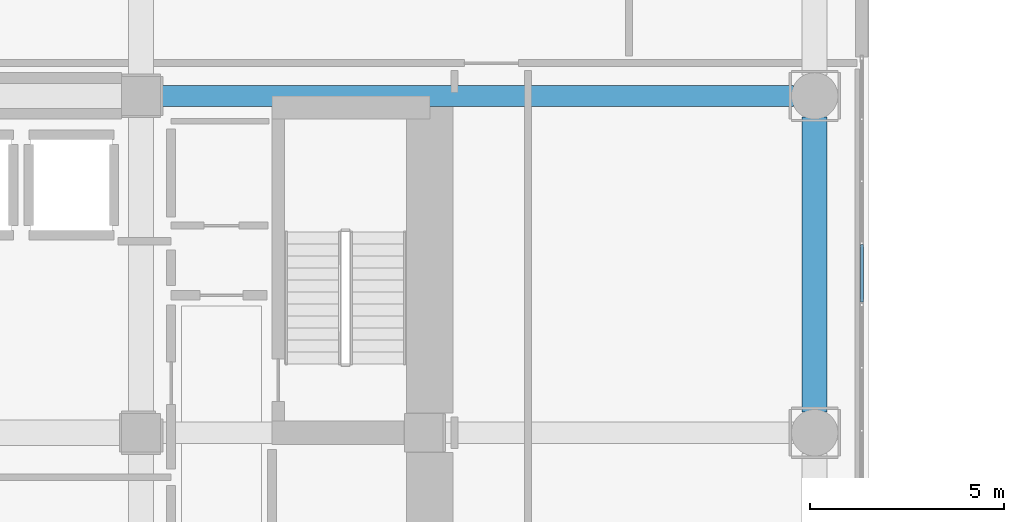
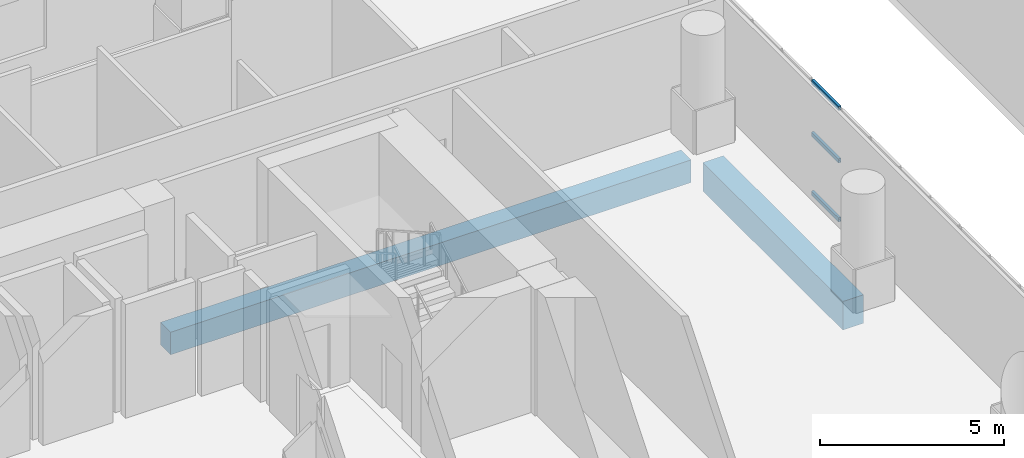
# One storey, part 5 of 25: 3 members, 2 beams, 1 element without a shape of its own.
"""IFC4 building model written with IfcOpenShell, lengths in metres."""

from ifc_helpers import new_model, si_unit, direction, frame, origin, origin_2d, place, context, subcontext, project, spatial, rectangle, hollow_rectangle, extrude, material, layer, layer_set, material_profile, profile_set, type_object, element, aggregate, save


model = new_model("IFC4")

# Units and contexts
model_context = context("Model", 3, precision=1e-05, world=origin(), true_north=direction((0.0, 1.0)))
body_context = subcontext(model_context, "Body", "Model", "MODEL_VIEW")
ifc_project = project(units=[si_unit("LENGTHUNIT", "METRE"), si_unit("AREAUNIT", "SQUARE_METRE"), si_unit("VOLUMEUNIT", "CUBIC_METRE"), si_unit("PLANEANGLEUNIT", "RADIAN"), si_unit("MASSUNIT", "GRAM", prefix="KILO")], contexts=[model_context])

# Site, building, storey
site_placement = place(None, origin())
site = spatial("IfcSite", under=ifc_project, at=site_placement, CompositionType="ELEMENT")
building_placement = place(site_placement, origin())
building = spatial("IfcBuilding", under=site, at=building_placement, Name="Solanera Arch Residences", CompositionType="ELEMENT")
storey_placement = place(building_placement, frame((0.0, 0.0, 17.800048828125)))
storey = spatial("IfcBuildingStorey", under=building, at=storey_placement, Name="L04", CompositionType="ELEMENT", Elevation=17.800048828125)

# Curtain wall, members
ifc_material_1 = material(Name="Anodised Aluminium Alloy 6063-T6", Category="aluminium")
ifc_layer = layer(ifc_material_1, 0.179931640625)
ifc_layer_set = layer_set([ifc_layer], Name="Anodised Aluminium Alloy 6063-T6")
curtain_wall_type = type_object("IfcCurtainWallType", Name="CW-4 Podium Conservatory Curtain Wall", PredefinedType="USERDEFINED", material=ifc_layer_set)
curtain_wall_placement = place(storey_placement, origin())
curtain_wall = element("IfcCurtainWall", 1, at=curtain_wall_placement, inside=storey, type_object=curtain_wall_type, Name="L04 Podium Conservatory Curtain Wall 1", ObjectType="CURTAIN_WALL", PredefinedType="USERDEFINED")
ifc_material_2 = material(Name="Anodised Aluminium Alloy 6063-T6", Category="aluminium")
ifc_material_profile_1 = material_profile(ifc_material_2, hollow_rectangle(XDim=0.080078125, YDim=0.139892578125, WallThickness=0.00390625, at=origin_2d()))
ifc_profile_set_1 = profile_set([ifc_material_profile_1], Name="Anodised Aluminium Alloy 6063-T6")
member_type = type_object("IfcMemberType", Name="Curtain Wall Transom ALU-TRN-80X140", PredefinedType="USERDEFINED", material=ifc_profile_set_1)
member_1_placement = place(storey_placement, frame((47.820068359375, 35.56005859375, 0.0400390625), z_axis=(0.0, -1.0, 0.0), x_axis=(1.0, 0.0, 0.0)))
member_1 = element("IfcMember", 2, at=member_1_placement, type_object=member_type, Name="CW-4 transom 4.1", ObjectType="TRANSOM", PredefinedType="USERDEFINED", context=body_context, shape_type="SweptSolid", body=[
    extrude(hollow_rectangle(XDim=0.080078125, YDim=0.139892578125, WallThickness=0.00390625, at=origin_2d()), origin(), (0.0, 0.0, 1.0), 1.47998046875),
])
member_2_placement = place(storey_placement, frame((47.820068359375, 35.56005859375, 2.0), z_axis=(0.0, -1.0, 0.0), x_axis=(1.0, 0.0, 0.0)))
member_2 = element("IfcMember", 3, at=member_2_placement, type_object=member_type, Name="CW-4 transom 4.2", ObjectType="TRANSOM", PredefinedType="USERDEFINED", context=body_context, shape_type="SweptSolid", body=[
    extrude(hollow_rectangle(XDim=0.080078125, YDim=0.139892578125, WallThickness=0.00390625, at=origin_2d()), origin(), (0.0, 0.0, 1.0), 1.47998046875),
])
member_3_placement = place(storey_placement, frame((47.820068359375, 35.56005859375, 3.739990234375), z_axis=(0.0, -1.0, 0.0), x_axis=(1.0, 0.0, 0.0)))
member_3 = element("IfcMember", 4, at=member_3_placement, type_object=member_type, Name="CW-4 transom 4.3", ObjectType="TRANSOM", PredefinedType="USERDEFINED", context=body_context, shape_type="SweptSolid", body=[
    extrude(hollow_rectangle(XDim=0.080078125, YDim=0.139892578125, WallThickness=0.00390625, at=origin_2d()), origin(), (0.0, 0.0, 1.0), 1.47998046875),
])
aggregate(curtain_wall, [member_1, member_2, member_3])

# Beams
ifc_material_3 = material(Name="Concrete C40/50 (f'c = 45 MPa)", Category="concrete")
ifc_material_profile_2 = material_profile(ifc_material_3, rectangle(XDim=0.550048828125, YDim=0.75, at=origin_2d()))
ifc_profile_set_2 = profile_set([ifc_material_profile_2], Name="Concrete C40/50 (f'c = 45 MPa)")
beam_type_1 = type_object("IfcBeamType", Name="Primary Beam RC-BM-550X750", PredefinedType="BEAM", material=ifc_profile_set_2)
beam_1_placement = place(storey_placement, frame((29.7041015625, 39.39990234375, -0.795166015625), z_axis=(1.0, 0.0, 0.0), x_axis=(0.0, 1.0, 0.0)))
element("IfcBeam", 5, at=beam_1_placement, inside=storey, type_object=beam_type_1, Name="BM-L04-POD-RE-39", PredefinedType="BEAM", context=body_context, shape_type="SweptSolid", body=[
    extrude(rectangle(XDim=0.550048828125, YDim=0.75, at=origin_2d()), origin(), (0.0, 0.0, 1.0), 16.35595703125),
])
ifc_material_4 = material(Name="Concrete C40/50 (f'c = 45 MPa)", Category="concrete")
ifc_material_profile_3 = material_profile(ifc_material_4, rectangle(XDim=0.64990234375, YDim=0.949951171875, at=origin_2d()))
ifc_profile_set_3 = profile_set([ifc_material_profile_3], Name="Concrete C40/50 (f'c = 45 MPa)")
beam_type_2 = type_object("IfcBeamType", Name="Primary Beam RC-BM-650X950", PredefinedType="BEAM", material=ifc_profile_set_3)
beam_2_placement = place(storey_placement, frame((46.60009765625, 31.239990234375, -0.89501953125), z_axis=(0.0, 1.0, 0.0), x_axis=(-1.0, 0.0, 0.0)))
element("IfcBeam", 6, at=beam_2_placement, inside=storey, type_object=beam_type_2, Name="BM-L04-POD-E3", PredefinedType="BEAM", context=body_context, shape_type="SweptSolid", body=[
    extrude(rectangle(XDim=0.64990234375, YDim=0.949951171875, at=origin_2d()), origin(), (0.0, 0.0, 1.0), 7.6201171875),
])

save(model, "model.ifc")
